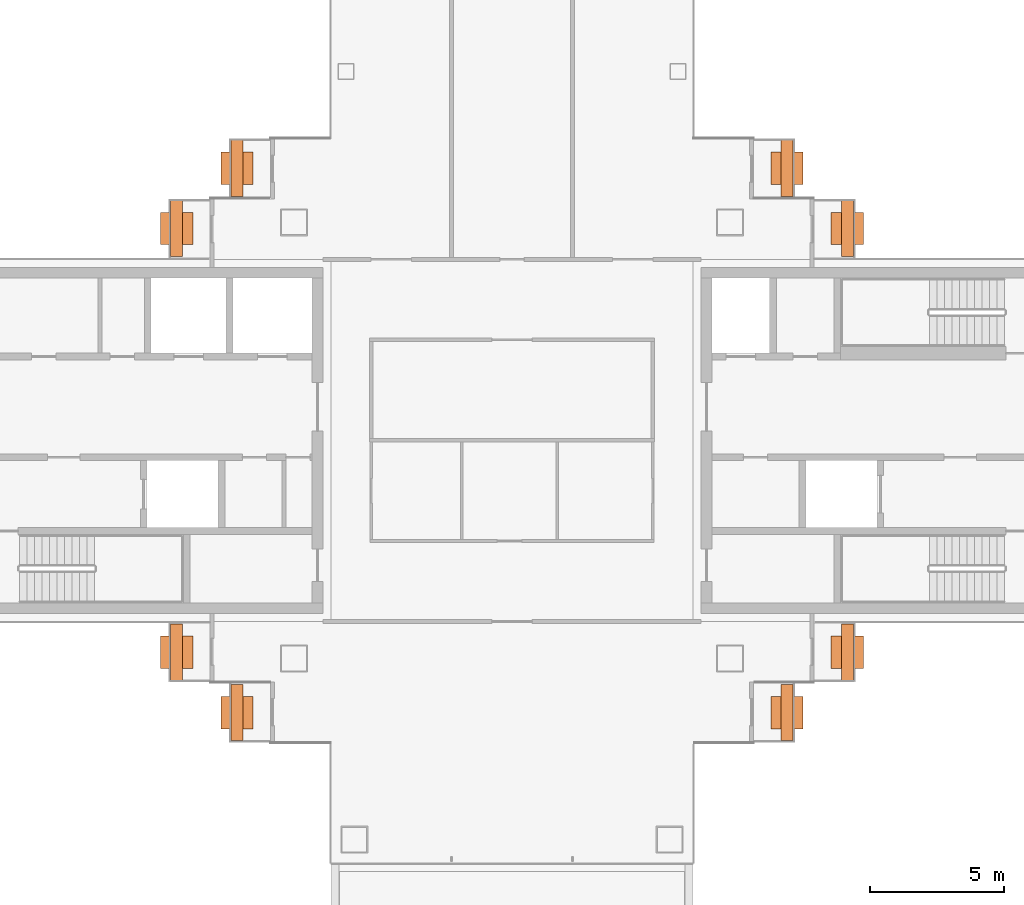
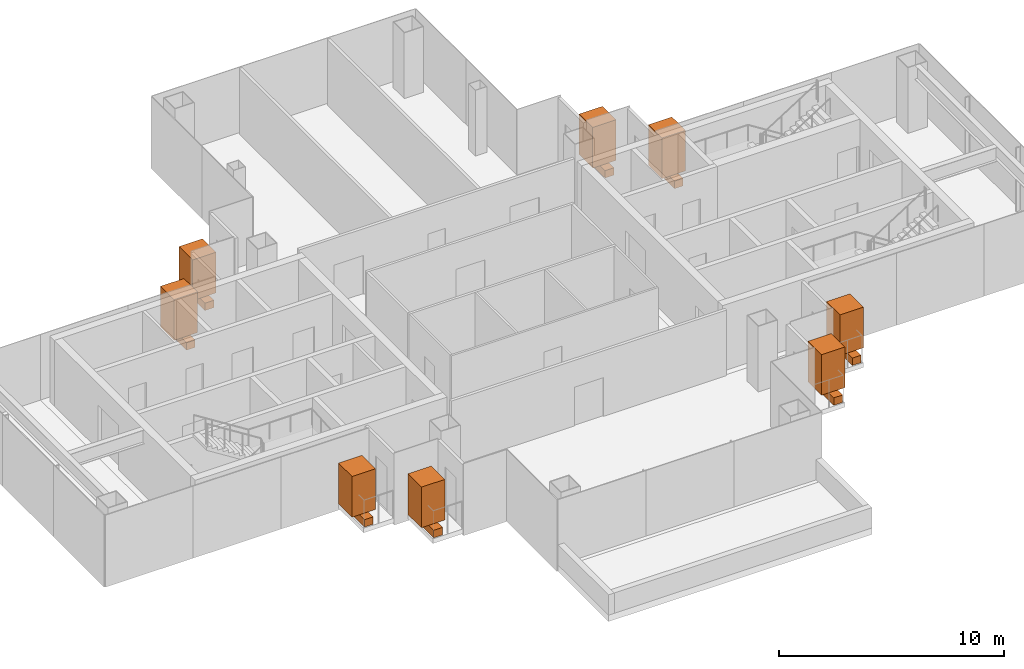
# One storey, part 16 of 16: 8 geographic elements, 8 proxies.
"""IFC4 building model written with IfcOpenShell, lengths in metres."""

from ifc_helpers import new_model, si_unit, direction, frame, origin, origin_2d, place, context, subcontext, project, spatial, rectangle, extrude, material, type_object, element, save


model = new_model("IFC4")

# Units and contexts
model_context = context("Model", 3, precision=1e-05, world=origin(), true_north=direction((0.0, 1.0)))
body_context = subcontext(model_context, "Body", "Model", "MODEL_VIEW")
ifc_project = project(units=[si_unit("LENGTHUNIT", "METRE"), si_unit("AREAUNIT", "SQUARE_METRE"), si_unit("VOLUMEUNIT", "CUBIC_METRE"), si_unit("PLANEANGLEUNIT", "RADIAN"), si_unit("MASSUNIT", "GRAM", prefix="KILO")], contexts=[model_context])

# Site, building, storey
site_placement = place(None, origin())
site = spatial("IfcSite", under=ifc_project, at=site_placement, CompositionType="ELEMENT")
building_placement = place(site_placement, origin())
building = spatial("IfcBuilding", under=site, at=building_placement, Name="Shamsa Quay Exchange Towers", CompositionType="ELEMENT")
storey_placement = place(building_placement, frame((0.0, 0.0, 182.699951171875)))
storey = spatial("IfcBuildingStorey", under=building, at=storey_placement, Name="L43", CompositionType="ELEMENT", Elevation=182.699951171875)

# Proxies
ifc_material_1 = material(Name="Reinforced concrete C30/37, black glass-fibre faced", Category="concrete")
building_element_proxy_type = type_object("IfcBuildingElementProxyType", Name="BALCONY PLANTER", PredefinedType="USERDEFINED", material=ifc_material_1)
for number, where, z_axis, x_axis, name in (
    (1, (23.5048828125, 10.14404296875, 0.0), (0.0, 0.0, 1.0), (0.0, -1.0, 0.0), "PLANTER T2-PKEN L43"),
    (2, (21.2548828125, 7.89404296875, 0.0), (0.0, 0.0, 1.0), (0.0, -1.0, 0.0), "PLANTER T2-PKEN L43"),
    (3, (43.9951171875, 10.14404296875, 0.0), (0.0, 0.0, 1.0), (0.0, 1.0, 0.0), "PLANTER T2-PKES L43"),
    (4, (46.2451171875, 7.89404296875, 0.0), (0.0, 0.0, 1.0), (0.0, 1.0, 0.0), "PLANTER T2-PKES L43"),
    (5, (21.2548828125, -7.89404296875, 0.0), (0.0, 0.0, 1.0), (0.0, -1.0, 0.0), "PLANTER T2-PKWN L43"),
    (6, (23.5048828125, -10.14404296875, 0.0), (0.0, 0.0, 1.0), (0.0, -1.0, 0.0), "PLANTER T2-PKWN L43"),
    (7, (43.9951171875, -10.14404296875, 0.0), (0.0, 0.0, 1.0), (0.0, 1.0, 0.0), "PLANTER T2-PKWS L43"),
    (8, (46.2451171875, -7.89404296875, 0.0), (0.0, 0.0, 1.0), (0.0, 1.0, 0.0), "PLANTER T2-PKWS L43"),
):
    element("IfcBuildingElementProxy", number, at=place(storey_placement, frame(where, z_axis=z_axis, x_axis=x_axis)), inside=storey, type_object=building_element_proxy_type, Name=name, ObjectType="PLANTER", PredefinedType="USERDEFINED", context=body_context, shape_type="SweptSolid", body=[
        extrude(rectangle(XDim=2.092041015625, YDim=0.449951171875, at=origin_2d()), origin(), (0.0, 0.0, 1.0), 0.39990234375),
    ])

# Geographic elements
ifc_material_2 = material(Name="Planting")
geographic_element_type = type_object("IfcGeographicElementType", Name="BALCONY TREE", PredefinedType="USERDEFINED", material=ifc_material_2)
for number, where, z_axis, x_axis, name in (
    (9, (23.5048828125, 10.14404296875, 0.39990234375), (0.0, 0.0, 1.0), (0.0, -1.0, 0.0), "TREE T2-PKEN L43"),
    (10, (21.2548828125, 7.89404296875, 0.39990234375), (0.0, 0.0, 1.0), (0.0, -1.0, 0.0), "TREE T2-PKEN L43"),
    (11, (43.9951171875, 10.14404296875, 0.39990234375), (0.0, 0.0, 1.0), (0.0, 1.0, 0.0), "TREE T2-PKES L43"),
    (12, (46.2451171875, 7.89404296875, 0.39990234375), (0.0, 0.0, 1.0), (0.0, 1.0, 0.0), "TREE T2-PKES L43"),
    (13, (21.2548828125, -7.89404296875, 0.39990234375), (0.0, 0.0, 1.0), (0.0, -1.0, 0.0), "TREE T2-PKWN L43"),
    (14, (23.5048828125, -10.14404296875, 0.39990234375), (0.0, 0.0, 1.0), (0.0, -1.0, 0.0), "TREE T2-PKWN L43"),
    (15, (43.9951171875, -10.14404296875, 0.39990234375), (0.0, 0.0, 1.0), (0.0, 1.0, 0.0), "TREE T2-PKWS L43"),
    (16, (46.2451171875, -7.89404296875, 0.39990234375), (0.0, 0.0, 1.0), (0.0, 1.0, 0.0), "TREE T2-PKWS L43"),
):
    element("IfcGeographicElement", number, at=place(storey_placement, frame(where, z_axis=z_axis, x_axis=x_axis)), inside=storey, type_object=geographic_element_type, Name=name, ObjectType="TREE", PredefinedType="USERDEFINED", context=body_context, shape_type="SweptSolid", body=[
        extrude(rectangle(XDim=1.199951171875, YDim=1.199951171875, at=origin_2d()), origin(), (0.0, 0.0, 1.0), 2.199951171875),
    ])

save(model, "model.ifc")
